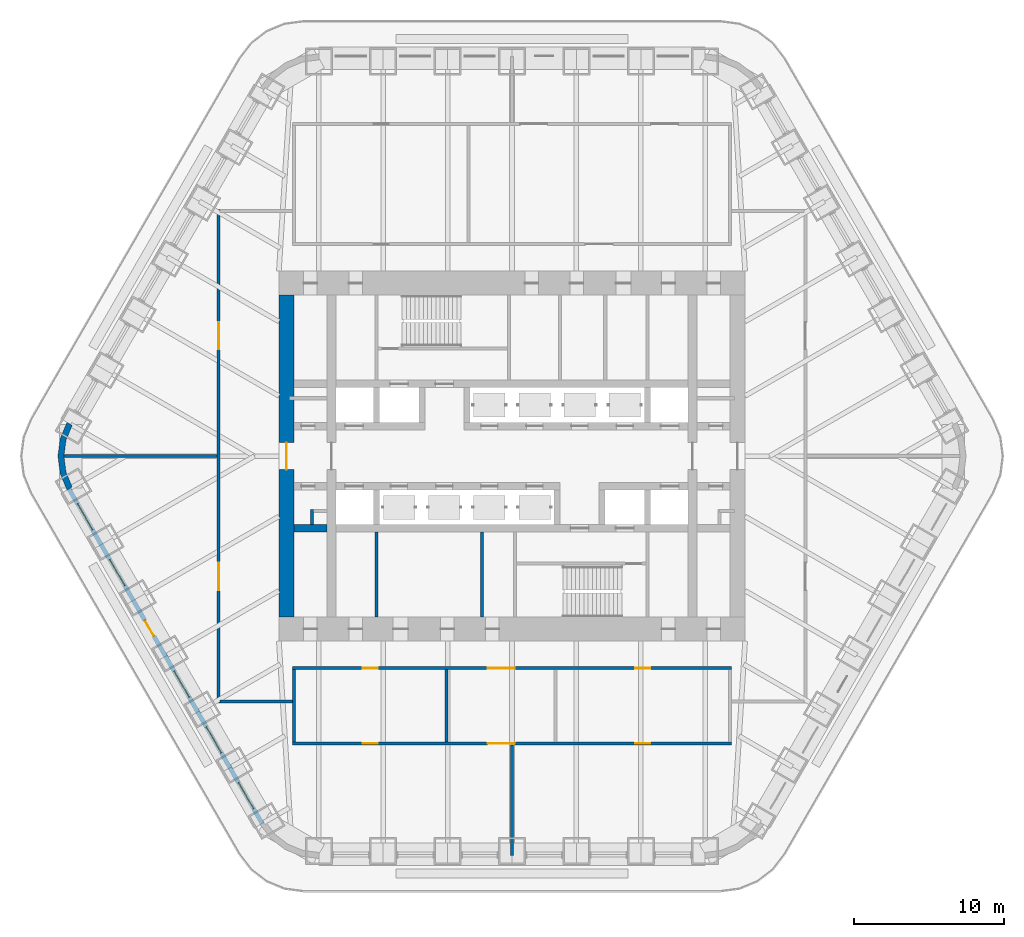
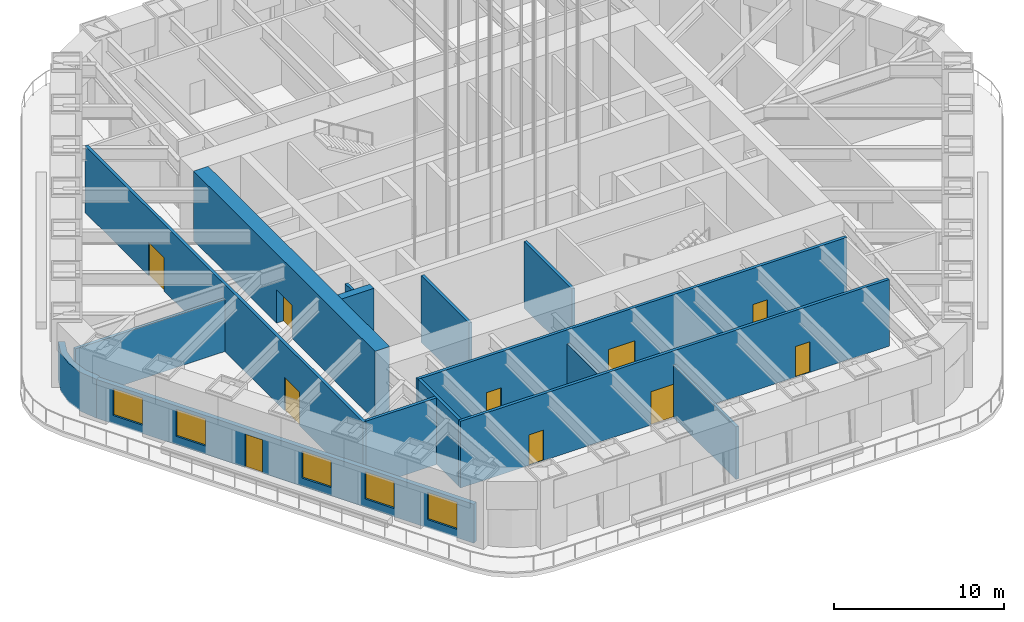
# One storey, part 7 of 14: 15 walls, 10 doors, 5 windows, 15 openings.
"""IFC4 building model written with IfcOpenShell, lengths in metres."""

from ifc_helpers import new_model, si_unit, direction, frame, frame_2d, origin, place, context, subcontext, project, spatial, polyline, rectangle, outline, extrude, material, layer, layer_set, type_object, element, fill, save


model = new_model("IFC4")

# Units and contexts
model_context = context("Model", 3, precision=1e-05, world=origin(), true_north=direction((0.0, 1.0)))
body_context = subcontext(model_context, "Body", "Model", "MODEL_VIEW")
ifc_project = project(units=[si_unit("LENGTHUNIT", "METRE"), si_unit("AREAUNIT", "SQUARE_METRE"), si_unit("VOLUMEUNIT", "CUBIC_METRE"), si_unit("PLANEANGLEUNIT", "RADIAN"), si_unit("MASSUNIT", "GRAM", prefix="KILO")], contexts=[model_context])

# Site, building, storey
site_placement = place(None, origin())
site = spatial("IfcSite", under=ifc_project, at=site_placement, CompositionType="ELEMENT")
building_placement = place(site_placement, origin())
building = spatial("IfcBuilding", under=site, at=building_placement, Name="Tarfa Lantern Tower", CompositionType="ELEMENT")
storey_placement = place(building_placement, frame((0.0, 0.0, 306.5)))
storey = spatial("IfcBuildingStorey", under=building, at=storey_placement, Name="L69", CompositionType="ELEMENT", Elevation=306.5)

# Wall, openings, door, windows
ifc_material_1 = material(Name="Limestone cladding on blockwork", Category="masonry")
ifc_layer_1 = layer(ifc_material_1, 0.300048828125)
ifc_layer_set_1 = layer_set([ifc_layer_1], Name="EW1 STONE-CLAD WALL 300")
wall_type_1 = type_object("IfcWallType", Name="EW1 STONE-CLAD WALL 300", PredefinedType="SOLIDWALL", material=ifc_layer_set_1)
wall_1_placement = place(storey_placement, frame((-29.459228515625, -2.175048828125, 0.0), z_axis=(0.0, 0.0, 1.0), x_axis=(0.499997191038, -0.866027025533, 0.0)))
wall_1 = element("IfcWall", 1, at=wall_1_placement, inside=storey, type_object=wall_type_1, Name="Stone wall SW", PredefinedType="SOLIDWALL", context=body_context, shape_type="SweptSolid", body=[
    extrude(rectangle(XDim=25.692138671875, YDim=0.300048828125, at=frame_2d((12.84619140625, 0.0))), origin(), (0.0, 0.0, 1.0), 2.800048828125),
])
opening_1_placement = place(wall_1_placement, frame((1.14111328125, 0.0, 0.60009765625)))
opening_1 = element("IfcOpeningElement", 2, at=opening_1_placement, cuts=wall_1, Name="Opening W11", PredefinedType="OPENING", context=body_context, shape_type="SweptSolid", body=[
    extrude(rectangle(XDim=2.0, YDim=1.949951171875, at=frame_2d((1.0, 0.97509765625))), frame((0.0, 0.159912109375, 0.0), z_axis=(0.0, -1.0, 0.0), x_axis=(1.0, 0.0, 0.0)), (0.0, 0.0, 1.0), 0.320068359375),
])
opening_2_placement = place(wall_1_placement, frame((5.423095703125, 0.0, 0.60009765625)))
opening_2 = element("IfcOpeningElement", 3, at=opening_2_placement, cuts=wall_1, Name="Opening W11", PredefinedType="OPENING", context=body_context, shape_type="SweptSolid", body=[
    extrude(rectangle(XDim=2.0, YDim=1.949951171875, at=frame_2d((1.0, 0.97509765625))), frame((0.0, 0.159912109375, 0.0), z_axis=(0.0, -1.0, 0.0), x_axis=(1.0, 0.0, 0.0)), (0.0, 0.0, 1.0), 0.320068359375),
])
opening_3_placement = place(wall_1_placement, frame((10.10498046875, 0.0, 0.0)))
opening_3 = element("IfcOpeningElement", 4, at=opening_3_placement, cuts=wall_1, Name="Opening D44", PredefinedType="OPENING", context=body_context, shape_type="SweptSolid", body=[
    extrude(rectangle(XDim=1.199951171875, YDim=2.39990234375, at=frame_2d((0.60009765625, 1.199951171875))), frame((0.0, 0.159912109375, 0.0), z_axis=(0.0, -1.0, 0.0), x_axis=(1.0, 0.0, 0.0)), (0.0, 0.0, 1.0), 0.320068359375),
])
opening_4_placement = place(wall_1_placement, frame((13.987060546875, 0.0, 0.60009765625)))
opening_4 = element("IfcOpeningElement", 5, at=opening_4_placement, cuts=wall_1, Name="Opening W11", PredefinedType="OPENING", context=body_context, shape_type="SweptSolid", body=[
    extrude(rectangle(XDim=2.0, YDim=1.949951171875, at=frame_2d((1.0, 0.97509765625))), frame((0.0, 0.159912109375, 0.0), z_axis=(0.0, -1.0, 0.0), x_axis=(1.0, 0.0, 0.0)), (0.0, 0.0, 1.0), 0.320068359375),
])
opening_5_placement = place(wall_1_placement, frame((18.26904296875, 0.0, 0.60009765625)))
opening_5 = element("IfcOpeningElement", 6, at=opening_5_placement, cuts=wall_1, Name="Opening W11", PredefinedType="OPENING", context=body_context, shape_type="SweptSolid", body=[
    extrude(rectangle(XDim=2.0, YDim=1.949951171875, at=frame_2d((1.0, 0.97509765625))), frame((0.0, 0.159912109375, 0.0), z_axis=(0.0, -1.0, 0.0), x_axis=(1.0, 0.0, 0.0)), (0.0, 0.0, 1.0), 0.320068359375),
])
opening_6_placement = place(wall_1_placement, frame((22.551025390625, 0.0, 0.60009765625)))
opening_6 = element("IfcOpeningElement", 7, at=opening_6_placement, cuts=wall_1, Name="Opening W11", PredefinedType="OPENING", context=body_context, shape_type="SweptSolid", body=[
    extrude(rectangle(XDim=2.0, YDim=1.949951171875, at=frame_2d((1.0, 0.97509765625))), frame((0.0, 0.159912109375, 0.0), z_axis=(0.0, -1.0, 0.0), x_axis=(1.0, 0.0, 0.0)), (0.0, 0.0, 1.0), 0.320068359375),
])
ifc_material_2 = material(Name="Aluminium framed glazed door", Category="aluminium")
door_type_1 = type_object("IfcDoorType", Name="BE3 BALCONY DOOR 1200x2400", OperationType="SINGLE_SWING_RIGHT", PredefinedType="DOOR", material=ifc_material_2)
door_1_placement = place(opening_3_placement, origin())
door_1 = element("IfcDoor", 8, at=door_1_placement, inside=storey, type_object=door_type_1, Name="Balcony door SW", OperationType="SINGLE_SWING_RIGHT", OverallHeight=2.39990234375, OverallWidth=1.199951171875, PredefinedType="DOOR", context=body_context, shape_type="SweptSolid", body=[
    extrude(rectangle(XDim=1.199951171875, YDim=2.39990234375, at=frame_2d((0.60009765625, 1.199951171875))), frame((0.0, 0.02490234375, 0.0), z_axis=(0.0, -1.0, 0.0), x_axis=(1.0, 0.0, 0.0)), (0.0, 0.0, 1.0), 0.050048828125),
])
fill(opening_3, door_1)
ifc_material_3 = material(Name="Aluminium frame, double glazed", Category="aluminium")
window_type = type_object("IfcWindowType", Name="W11 FULL-HEIGHT GLAZING 2000x1950", PartitioningType="SINGLE_PANEL", PredefinedType="WINDOW", material=ifc_material_3)
window_1_placement = place(opening_1_placement, origin())
window_1 = element("IfcWindow", 9, at=window_1_placement, inside=storey, type_object=window_type, Name="Window SW 1", OverallHeight=1.949951171875, OverallWidth=2.0, PartitioningType="SINGLE_PANEL", PredefinedType="WINDOW", context=body_context, shape_type="SweptSolid", body=[
    extrude(rectangle(XDim=2.0, YDim=1.949951171875, at=frame_2d((1.0, 0.97509765625))), frame((0.0, 0.030029296875, 0.0), z_axis=(0.0, -1.0, 0.0), x_axis=(1.0, 0.0, 0.0)), (0.0, 0.0, 1.0), 0.06005859375),
])
fill(opening_1, window_1)
window_2_placement = place(opening_2_placement, origin())
window_2 = element("IfcWindow", 10, at=window_2_placement, inside=storey, type_object=window_type, Name="Window SW 2", OverallHeight=1.949951171875, OverallWidth=2.0, PartitioningType="SINGLE_PANEL", PredefinedType="WINDOW", context=body_context, shape_type="SweptSolid", body=[
    extrude(rectangle(XDim=2.0, YDim=1.949951171875, at=frame_2d((1.0, 0.97509765625))), frame((0.0, 0.030029296875, 0.0), z_axis=(0.0, -1.0, 0.0), x_axis=(1.0, 0.0, 0.0)), (0.0, 0.0, 1.0), 0.06005859375),
])
fill(opening_2, window_2)
window_3_placement = place(opening_4_placement, origin())
window_3 = element("IfcWindow", 11, at=window_3_placement, inside=storey, type_object=window_type, Name="Window SW 4", OverallHeight=1.949951171875, OverallWidth=2.0, PartitioningType="SINGLE_PANEL", PredefinedType="WINDOW", context=body_context, shape_type="SweptSolid", body=[
    extrude(rectangle(XDim=2.0, YDim=1.949951171875, at=frame_2d((1.0, 0.97509765625))), frame((0.0, 0.030029296875, 0.0), z_axis=(0.0, -1.0, 0.0), x_axis=(1.0, 0.0, 0.0)), (0.0, 0.0, 1.0), 0.06005859375),
])
fill(opening_4, window_3)
window_4_placement = place(opening_5_placement, origin())
window_4 = element("IfcWindow", 12, at=window_4_placement, inside=storey, type_object=window_type, Name="Window SW 5", OverallHeight=1.949951171875, OverallWidth=2.0, PartitioningType="SINGLE_PANEL", PredefinedType="WINDOW", context=body_context, shape_type="SweptSolid", body=[
    extrude(rectangle(XDim=2.0, YDim=1.949951171875, at=frame_2d((1.0, 0.97509765625))), frame((0.0, 0.030029296875, 0.0), z_axis=(0.0, -1.0, 0.0), x_axis=(1.0, 0.0, 0.0)), (0.0, 0.0, 1.0), 0.06005859375),
])
fill(opening_5, window_4)
window_5_placement = place(opening_6_placement, origin())
window_5 = element("IfcWindow", 13, at=window_5_placement, inside=storey, type_object=window_type, Name="Window SW 6", OverallHeight=1.949951171875, OverallWidth=2.0, PartitioningType="SINGLE_PANEL", PredefinedType="WINDOW", context=body_context, shape_type="SweptSolid", body=[
    extrude(rectangle(XDim=2.0, YDim=1.949951171875, at=frame_2d((1.0, 0.97509765625))), frame((0.0, 0.030029296875, 0.0), z_axis=(0.0, -1.0, 0.0), x_axis=(1.0, 0.0, 0.0)), (0.0, 0.0, 1.0), 0.06005859375),
])
fill(opening_6, window_5)

# Walls
ifc_layer_2 = layer(ifc_material_1, 0.39990234375)
ifc_layer_set_2 = layer_set([ifc_layer_2], Name="EW2 CURVED STONE CORNER 400")
wall_type_2 = type_object("IfcWallType", Name="EW2 CURVED STONE CORNER 400", PredefinedType="SOLIDWALL", material=ifc_layer_set_2)
wall_2_placement = place(storey_placement, origin())
element("IfcWall", 14, at=wall_2_placement, inside=storey, type_object=wall_type_2, Name="Stone corner NW-SW", PredefinedType="SOLIDWALL", context=body_context, shape_type="SweptSolid", body=[
    extrude(outline(polyline([(-29.589111328125, 2.25), (-30.038818359375, 1.164794921875), (-30.192138671875, 0.0), (-30.038818359375, -1.164794921875), (-29.589111328125, -2.25), (-29.24267578125, -2.050048828125), (-29.65234375, -1.061279296875), (-29.7919921875, 0.0), (-29.65234375, 1.061279296875), (-29.24267578125, 2.050048828125), (-29.589111328125, 2.25)])), origin(), (0.0, 0.0, 1.0), 2.800048828125),
])
ifc_material_4 = material(Name="Concrete blockwork", Category="masonry")
ifc_layer_3 = layer(ifc_material_4, 0.199951171875)
ifc_layer_set_3 = layer_set([ifc_layer_3], Name="IW1 BLOCKWORK PARTITION 200 EI 120")
wall_type_3 = type_object("IfcWallType", Name="IW1 BLOCKWORK PARTITION 200 EI 120", PredefinedType="PARTITIONING", material=ifc_layer_set_3)
for number, where, z_axis, x_axis, name in (
    (15, (-9.0, -5.050048828125, 0.0), (0.0, 0.0, 1.0), (0.0, -1.0, 0.0), "Core partition"),
    (16, (-2.0, -5.050048828125, 0.0), (0.0, 0.0, 1.0), (0.0, -1.0, 0.0), "Core partition"),
):
    element("IfcWall", number, at=place(storey_placement, frame(where, z_axis=z_axis, x_axis=x_axis)), inside=storey, type_object=wall_type_3, Name=name, PredefinedType="PARTITIONING", context=body_context, shape_type="SweptSolid", body=[
        extrude(rectangle(XDim=5.64990234375, YDim=0.199951171875, at=frame_2d((2.824951171875, 0.0))), origin(), (0.0, 0.0, 1.0), 4.800048828125),
    ])
wall_3_placement = place(storey_placement, frame((-13.300048828125, -3.550048828125, 0.0), z_axis=(0.0, 0.0, 1.0), x_axis=(0.0, -1.0, 0.0)))
element("IfcWall", 17, at=wall_3_placement, inside=storey, type_object=wall_type_3, Name="Core partition", PredefinedType="PARTITIONING", context=body_context, shape_type="SweptSolid", body=[
    extrude(rectangle(XDim=1.0, YDim=0.199951171875, at=frame_2d((0.5, 0.0))), origin(), (0.0, 0.0, 1.0), 4.800048828125),
])

# Wall, openings, doors
ifc_material_5 = material(Name="Gypsum board on steel studs", Category="steel")
ifc_layer_4 = layer(ifc_material_5, 0.2099609375)
ifc_layer_set_4 = layer_set([ifc_layer_4], Name="IW2 ACOUSTIC PARTITION 200")
wall_type_4 = type_object("IfcWallType", Name="IW2 ACOUSTIC PARTITION 200", PredefinedType="PARTITIONING", material=ifc_layer_set_4)
wall_4_placement = place(storey_placement, frame((14.60009765625, -14.10009765625, 0.0), z_axis=(0.0, 0.0, 1.0), x_axis=(-1.0, 0.0, 0.0)))
wall_4 = element("IfcWall", 18, at=wall_4_placement, inside=storey, type_object=wall_type_4, Name="Partition", PredefinedType="PARTITIONING", context=body_context, shape_type="SweptSolid", body=[
    extrude(rectangle(XDim=29.2001953125, YDim=0.199951171875, at=frame_2d((14.60009765625, 0.0))), origin(), (0.0, 0.0, 1.0), 4.800048828125),
])
opening_7_placement = place(wall_4_placement, frame((5.39990234375, 0.0, 0.0)))
opening_7 = element("IfcOpeningElement", 19, at=opening_7_placement, cuts=wall_4, Name="Opening D35", PredefinedType="OPENING", context=body_context, shape_type="SweptSolid", body=[
    extrude(rectangle(XDim=1.0, YDim=2.199951171875, at=frame_2d((0.5, 1.10009765625))), frame((0.0, 0.10986328125, 0.0), z_axis=(0.0, -1.0, 0.0), x_axis=(1.0, 0.0, 0.0)), (0.0, 0.0, 1.0), 0.219970703125),
])
opening_8_placement = place(wall_4_placement, frame((14.425048828125, 0.0, 0.0)))
opening_8 = element("IfcOpeningElement", 20, at=opening_8_placement, cuts=wall_4, Name="Opening D36", PredefinedType="OPENING", context=body_context, shape_type="SweptSolid", body=[
    extrude(rectangle(XDim=1.800048828125, YDim=2.39990234375, at=frame_2d((0.89990234375, 1.199951171875))), frame((0.0, 0.10986328125, 0.0), z_axis=(0.0, -1.0, 0.0), x_axis=(1.0, 0.0, 0.0)), (0.0, 0.0, 1.0), 0.219970703125),
])
opening_9_placement = place(wall_4_placement, frame((23.52490234375, 0.0, 0.0)))
opening_9 = element("IfcOpeningElement", 21, at=opening_9_placement, cuts=wall_4, Name="Opening D37", PredefinedType="OPENING", context=body_context, shape_type="SweptSolid", body=[
    extrude(rectangle(XDim=1.0, YDim=2.199951171875, at=frame_2d((0.5, 1.10009765625))), frame((0.0, 0.10986328125, 0.0), z_axis=(0.0, -1.0, 0.0), x_axis=(1.0, 0.0, 0.0)), (0.0, 0.0, 1.0), 0.219970703125),
])
ifc_material_6 = material(Name="Timber door", Category="wood")
door_type_2 = type_object("IfcDoorType", Name="DR1 ROOM DOOR 1000x2200", OperationType="SINGLE_SWING_LEFT", PredefinedType="DOOR", material=ifc_material_6)
door_2_placement = place(opening_7_placement, origin())
door_2 = element("IfcDoor", 22, at=door_2_placement, inside=storey, type_object=door_type_2, Name="Library and quiet room door", OperationType="SINGLE_SWING_RIGHT", OverallHeight=2.199951171875, OverallWidth=1.0, PredefinedType="DOOR", context=body_context, shape_type="SweptSolid", body=[
    extrude(rectangle(XDim=1.0, YDim=2.199951171875, at=frame_2d((0.5, 1.10009765625))), frame((0.0, 0.02490234375, 0.0), z_axis=(0.0, -1.0, 0.0), x_axis=(1.0, 0.0, 0.0)), (0.0, 0.0, 1.0), 0.050048828125),
])
fill(opening_7, door_2)
door_3_placement = place(opening_9_placement, origin())
door_3 = element("IfcDoor", 23, at=door_3_placement, inside=storey, type_object=door_type_2, Name="Executive lounge door", OperationType="SINGLE_SWING_LEFT", OverallHeight=2.199951171875, OverallWidth=1.0, PredefinedType="DOOR", context=body_context, shape_type="SweptSolid", body=[
    extrude(rectangle(XDim=1.0, YDim=2.199951171875, at=frame_2d((0.5, 1.10009765625))), frame((0.0, 0.02490234375, 0.0), z_axis=(0.0, -1.0, 0.0), x_axis=(1.0, 0.0, 0.0)), (0.0, 0.0, 1.0), 0.050048828125),
])
fill(opening_9, door_3)
door_type_3 = type_object("IfcDoorType", Name="DR2 ROOM DOOR 1800x2400", OperationType="DOUBLE_DOOR_SINGLE_SWING", PredefinedType="DOOR", material=ifc_material_6)
door_4_placement = place(opening_8_placement, origin())
door_4 = element("IfcDoor", 24, at=door_4_placement, inside=storey, type_object=door_type_3, Name="Prayer room door", OperationType="DOUBLE_DOOR_SINGLE_SWING", OverallHeight=2.39990234375, OverallWidth=1.800048828125, PredefinedType="DOOR", context=body_context, shape_type="SweptSolid", body=[
    extrude(rectangle(XDim=1.800048828125, YDim=2.39990234375, at=frame_2d((0.89990234375, 1.199951171875))), frame((0.0, 0.02490234375, 0.0), z_axis=(0.0, -1.0, 0.0), x_axis=(1.0, 0.0, 0.0)), (0.0, 0.0, 1.0), 0.050048828125),
])
fill(opening_8, door_4)

# Walls
wall_5_placement = place(storey_placement, frame((-4.35009765625, -14.199951171875, 0.0), z_axis=(0.0, 0.0, 1.0), x_axis=(0.0, -1.0, 0.0)))
element("IfcWall", 25, at=wall_5_placement, inside=storey, type_object=wall_type_4, Name="Partition", PredefinedType="PARTITIONING", context=body_context, shape_type="SweptSolid", body=[
    extrude(rectangle(XDim=4.800048828125, YDim=0.199951171875, at=frame_2d((2.39990234375, 0.0))), origin(), (0.0, 0.0, 1.0), 3.7919921875),
])
wall_6_placement = place(storey_placement, frame((-14.5, -14.199951171875, 0.0), z_axis=(0.0, 0.0, 1.0), x_axis=(0.0, -1.0, 0.0)))
element("IfcWall", 26, at=wall_6_placement, inside=storey, type_object=wall_type_4, Name="Partition", PredefinedType="PARTITIONING", context=body_context, shape_type="SweptSolid", body=[
    extrude(rectangle(XDim=4.800048828125, YDim=0.199951171875, at=frame_2d((2.39990234375, 0.0))), origin(), (0.0, 0.0, 1.0), 4.800048828125),
])

# Wall, openings, doors
wall_7_placement = place(storey_placement, frame((14.60009765625, -19.10009765625, 0.0), z_axis=(0.0, 0.0, 1.0), x_axis=(-1.0, 0.0, 0.0)))
wall_7 = element("IfcWall", 27, at=wall_7_placement, inside=storey, type_object=wall_type_4, Name="Partition", PredefinedType="PARTITIONING", context=body_context, shape_type="SweptSolid", body=[
    extrude(rectangle(XDim=29.2001953125, YDim=0.199951171875, at=frame_2d((14.60009765625, 0.0))), origin(), (0.0, 0.0, 1.0), 4.800048828125),
])
opening_10_placement = place(wall_7_placement, frame((5.39990234375, 0.0, 0.0)))
opening_10 = element("IfcOpeningElement", 28, at=opening_10_placement, cuts=wall_7, Name="Opening D30", PredefinedType="OPENING", context=body_context, shape_type="SweptSolid", body=[
    extrude(rectangle(XDim=1.0, YDim=2.199951171875, at=frame_2d((0.5, 1.10009765625))), frame((0.0, 0.10986328125, 0.0), z_axis=(0.0, -1.0, 0.0), x_axis=(1.0, 0.0, 0.0)), (0.0, 0.0, 1.0), 0.219970703125),
])
opening_11_placement = place(wall_7_placement, frame((14.425048828125, 0.0, 0.0)))
opening_11 = element("IfcOpeningElement", 29, at=opening_11_placement, cuts=wall_7, Name="Opening D31", PredefinedType="OPENING", context=body_context, shape_type="SweptSolid", body=[
    extrude(rectangle(XDim=1.800048828125, YDim=2.39990234375, at=frame_2d((0.89990234375, 1.199951171875))), frame((0.0, 0.10986328125, 0.0), z_axis=(0.0, -1.0, 0.0), x_axis=(1.0, 0.0, 0.0)), (0.0, 0.0, 1.0), 0.219970703125),
])
opening_12_placement = place(wall_7_placement, frame((23.52490234375, 0.0, 0.0)))
opening_12 = element("IfcOpeningElement", 30, at=opening_12_placement, cuts=wall_7, Name="Opening D32", PredefinedType="OPENING", context=body_context, shape_type="SweptSolid", body=[
    extrude(rectangle(XDim=1.0, YDim=2.199951171875, at=frame_2d((0.5, 1.10009765625))), frame((0.0, 0.10986328125, 0.0), z_axis=(0.0, -1.0, 0.0), x_axis=(1.0, 0.0, 0.0)), (0.0, 0.0, 1.0), 0.219970703125),
])
door_5_placement = place(opening_10_placement, frame((1.0, 0.0, 0.0), z_axis=(0.0, 0.0, 1.0), x_axis=(-1.0, 0.0, 0.0)))
door_5 = element("IfcDoor", 31, at=door_5_placement, inside=storey, type_object=door_type_2, Name="Library and quiet room door", OperationType="SINGLE_SWING_LEFT", OverallHeight=2.199951171875, OverallWidth=1.0, PredefinedType="DOOR", context=body_context, shape_type="SweptSolid", body=[
    extrude(rectangle(XDim=1.0, YDim=2.199951171875, at=frame_2d((0.5, 1.10009765625))), frame((0.0, 0.02490234375, 0.0), z_axis=(0.0, -1.0, 0.0), x_axis=(1.0, 0.0, 0.0)), (0.0, 0.0, 1.0), 0.050048828125),
])
fill(opening_10, door_5)
door_6_placement = place(opening_12_placement, frame((1.0, 0.0, 0.0), z_axis=(0.0, 0.0, 1.0), x_axis=(-1.0, 0.0, 0.0)))
door_6 = element("IfcDoor", 32, at=door_6_placement, inside=storey, type_object=door_type_2, Name="Executive lounge door", OperationType="SINGLE_SWING_RIGHT", OverallHeight=2.199951171875, OverallWidth=1.0, PredefinedType="DOOR", context=body_context, shape_type="SweptSolid", body=[
    extrude(rectangle(XDim=1.0, YDim=2.199951171875, at=frame_2d((0.5, 1.10009765625))), frame((0.0, 0.02490234375, 0.0), z_axis=(0.0, -1.0, 0.0), x_axis=(1.0, 0.0, 0.0)), (0.0, 0.0, 1.0), 0.050048828125),
])
fill(opening_12, door_6)
door_7_placement = place(opening_11_placement, frame((1.800048828125, 0.0, 0.0), z_axis=(0.0, 0.0, 1.0), x_axis=(-1.0, 0.0, 0.0)))
door_7 = element("IfcDoor", 33, at=door_7_placement, inside=storey, type_object=door_type_3, Name="Prayer room door", OperationType="DOUBLE_DOOR_SINGLE_SWING", OverallHeight=2.39990234375, OverallWidth=1.800048828125, PredefinedType="DOOR", context=body_context, shape_type="SweptSolid", body=[
    extrude(rectangle(XDim=1.800048828125, YDim=2.39990234375, at=frame_2d((0.89990234375, 1.199951171875))), frame((0.0, 0.02490234375, 0.0), z_axis=(0.0, -1.0, 0.0), x_axis=(1.0, 0.0, 0.0)), (0.0, 0.0, 1.0), 0.050048828125),
])
fill(opening_11, door_7)

wall_8_placement = place(storey_placement, frame((-19.5, -16.39990234375, 0.0), z_axis=(0.0, 0.0, 1.0), x_axis=(0.0, 1.0, 0.0)))
wall_8 = element("IfcWall", 34, at=wall_8_placement, inside=storey, type_object=wall_type_4, Name="Partition", PredefinedType="PARTITIONING", context=body_context, shape_type="SweptSolid", body=[
    extrude(rectangle(XDim=32.7998046875, YDim=0.199951171875, at=frame_2d((16.39990234375, 0.0))), origin(), (0.0, 0.0, 1.0), 4.800048828125),
])
opening_13_placement = place(wall_8_placement, frame((23.5, 0.0, 0.0)))
opening_13 = element("IfcOpeningElement", 35, at=opening_13_placement, cuts=wall_8, Name="Opening D39", PredefinedType="OPENING", context=body_context, shape_type="SweptSolid", body=[
    extrude(rectangle(XDim=1.800048828125, YDim=2.39990234375, at=frame_2d((0.89990234375, 1.199951171875))), frame((0.0, 0.10986328125, 0.0), z_axis=(0.0, -1.0, 0.0), x_axis=(1.0, 0.0, 0.0)), (0.0, 0.0, 1.0), 0.219970703125),
])
opening_14_placement = place(wall_8_placement, frame((7.5, 0.0, 0.0)))
opening_14 = element("IfcOpeningElement", 36, at=opening_14_placement, cuts=wall_8, Name="Opening D41", PredefinedType="OPENING", context=body_context, shape_type="SweptSolid", body=[
    extrude(rectangle(XDim=1.800048828125, YDim=2.39990234375, at=frame_2d((0.89990234375, 1.199951171875))), frame((0.0, 0.10986328125, 0.0), z_axis=(0.0, -1.0, 0.0), x_axis=(1.0, 0.0, 0.0)), (0.0, 0.0, 1.0), 0.219970703125),
])
door_8_placement = place(opening_13_placement, origin())
door_8 = element("IfcDoor", 37, at=door_8_placement, inside=storey, type_object=door_type_3, Name="Business centre door", OperationType="DOUBLE_DOOR_SINGLE_SWING", OverallHeight=2.39990234375, OverallWidth=1.800048828125, PredefinedType="DOOR", context=body_context, shape_type="SweptSolid", body=[
    extrude(rectangle(XDim=1.800048828125, YDim=2.39990234375, at=frame_2d((0.89990234375, 1.199951171875))), frame((0.0, 0.02490234375, 0.0), z_axis=(0.0, -1.0, 0.0), x_axis=(1.0, 0.0, 0.0)), (0.0, 0.0, 1.0), 0.050048828125),
])
fill(opening_13, door_8)
door_9_placement = place(opening_14_placement, origin())
door_9 = element("IfcDoor", 38, at=door_9_placement, inside=storey, type_object=door_type_3, Name="Touchdown workplace door", OperationType="DOUBLE_DOOR_SINGLE_SWING", OverallHeight=2.39990234375, OverallWidth=1.800048828125, PredefinedType="DOOR", context=body_context, shape_type="SweptSolid", body=[
    extrude(rectangle(XDim=1.800048828125, YDim=2.39990234375, at=frame_2d((0.89990234375, 1.199951171875))), frame((0.0, 0.02490234375, 0.0), z_axis=(0.0, -1.0, 0.0), x_axis=(1.0, 0.0, 0.0)), (0.0, 0.0, 1.0), 0.050048828125),
])
fill(opening_14, door_9)

# Walls
wall_9_placement = place(storey_placement, frame((-14.60009765625, -16.300048828125, 0.0), z_axis=(0.0, 0.0, 1.0), x_axis=(-1.0, 0.0, 0.0)))
element("IfcWall", 39, at=wall_9_placement, inside=storey, type_object=wall_type_4, Name="Partition", PredefinedType="PARTITIONING", context=body_context, shape_type="SweptSolid", body=[
    extrude(rectangle(XDim=4.7998046875, YDim=0.199951171875, at=frame_2d((2.39990234375, 0.0))), origin(), (0.0, 0.0, 1.0), 4.800048828125),
])
wall_10_placement = place(storey_placement, frame((-19.60009765625, 0.0, 0.0), z_axis=(0.0, 0.0, 1.0), x_axis=(-1.0, 0.0, 0.0)))
element("IfcWall", 40, at=wall_10_placement, inside=storey, type_object=wall_type_4, Name="Partition", PredefinedType="PARTITIONING", context=body_context, shape_type="SweptSolid", body=[
    extrude(rectangle(XDim=10.178955078125, YDim=0.199951171875, at=frame_2d((5.08935546875, 0.0))), origin(), (0.0, 0.0, 1.0), 3.743896484375),
])
wall_11_placement = place(storey_placement, frame((0.0, -19.199951171875, 0.0), z_axis=(0.0, 0.0, 1.0), x_axis=(0.0, -1.0, 0.0)))
element("IfcWall", 41, at=wall_11_placement, inside=storey, type_object=wall_type_4, Name="Partition", PredefinedType="PARTITIONING", context=body_context, shape_type="SweptSolid", body=[
    extrude(rectangle(XDim=7.360107421875, YDim=0.199951171875, at=frame_2d((3.68017578125, 0.0))), origin(), (0.0, 0.0, 1.0), 3.7919921875),
])

# Wall, opening, door
ifc_material_7 = material(Name="Concrete C80/95", Category="concrete")
ifc_layer_5 = layer(ifc_material_7, 1.0)
ifc_layer_set_5 = layer_set([ifc_layer_5], Name="SW2 CORE WALL 1000")
wall_type_5 = type_object("IfcWallType", Name="SW2 CORE WALL 1000", PredefinedType="SHEAR", material=ifc_layer_set_5)
wall_12_placement = place(storey_placement, frame((-15.0, 10.699951171875, 0.0), z_axis=(0.0, 0.0, 1.0), x_axis=(0.0, -1.0, 0.0)))
wall_12 = element("IfcWall", 42, at=wall_12_placement, inside=storey, type_object=wall_type_5, Name="Core wall W", PredefinedType="SHEAR", context=body_context, shape_type="SweptSolid", body=[
    extrude(rectangle(XDim=21.39990234375, YDim=1.0, at=frame_2d((10.699951171875, 0.0))), origin(), (0.0, 0.0, 1.0), 5.0),
])
opening_15_placement = place(wall_12_placement, frame((9.800048828125, 0.0, 0.0)))
opening_15 = element("IfcOpeningElement", 43, at=opening_15_placement, cuts=wall_12, Name="Opening D12", PredefinedType="OPENING", context=body_context, shape_type="SweptSolid", body=[
    extrude(rectangle(XDim=1.800048828125, YDim=2.39990234375, at=frame_2d((0.89990234375, 1.199951171875))), frame((0.0, 0.510009765625, 0.0), z_axis=(0.0, -1.0, 0.0), x_axis=(1.0, 0.0, 0.0)), (0.0, 0.0, 1.0), 1.02001953125),
])
ifc_material_8 = material(Name="Steel fire door", Category="steel")
door_type_4 = type_object("IfcDoorType", Name="DL1 LOBBY DOOR 1800x2400", OperationType="DOUBLE_DOOR_SINGLE_SWING", PredefinedType="DOOR", material=ifc_material_8)
door_10_placement = place(opening_15_placement, origin())
door_10 = element("IfcDoor", 44, at=door_10_placement, inside=storey, type_object=door_type_4, Name="Lift lobby door", OperationType="DOUBLE_DOOR_SINGLE_SWING", OverallHeight=2.39990234375, OverallWidth=1.800048828125, PredefinedType="DOOR", context=body_context, shape_type="SweptSolid", body=[
    extrude(rectangle(XDim=1.800048828125, YDim=2.39990234375, at=frame_2d((0.89990234375, 1.199951171875))), frame((0.0, 0.02490234375, 0.0), z_axis=(0.0, -1.0, 0.0), x_axis=(1.0, 0.0, 0.0)), (0.0, 0.0, 1.0), 0.050048828125),
])
fill(opening_15, door_10)

# Wall
ifc_layer_6 = layer(ifc_material_7, 0.5)
ifc_layer_set_6 = layer_set([ifc_layer_6], Name="SW5 CORE WALL 500")
wall_type_6 = type_object("IfcWallType", Name="SW5 CORE WALL 500", PredefinedType="SHEAR", material=ifc_layer_set_6)
wall_13_placement = place(storey_placement, frame((-12.300048828125, -4.800048828125, 0.0), z_axis=(0.0, 0.0, 1.0), x_axis=(-1.0, 0.0, 0.0)))
element("IfcWall", 45, at=wall_13_placement, inside=storey, type_object=wall_type_6, Name="Core wall rear S", PredefinedType="SHEAR", context=body_context, shape_type="SweptSolid", body=[
    extrude(rectangle(XDim=2.199951171875, YDim=0.5, at=frame_2d((1.10009765625, 0.0))), origin(), (0.0, 0.0, 1.0), 5.0),
])

save(model, "model.ifc")
